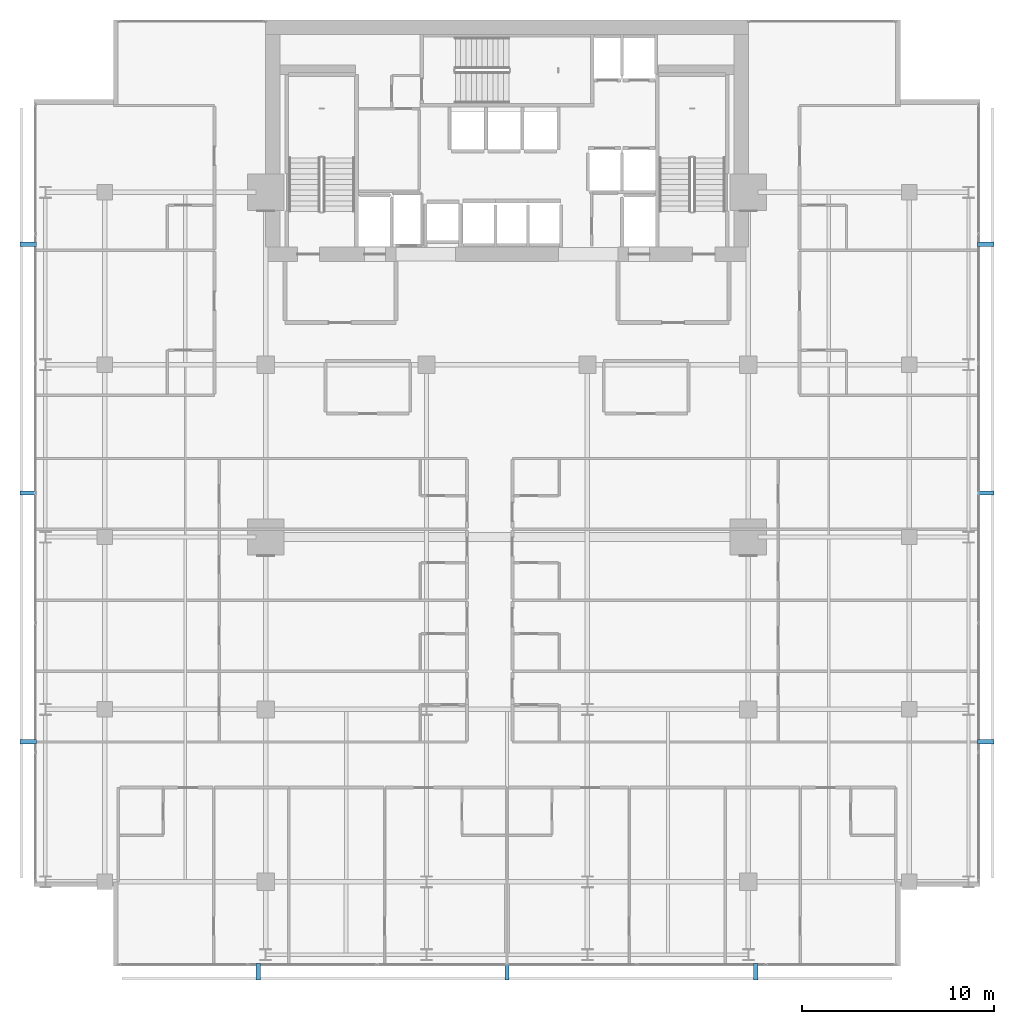
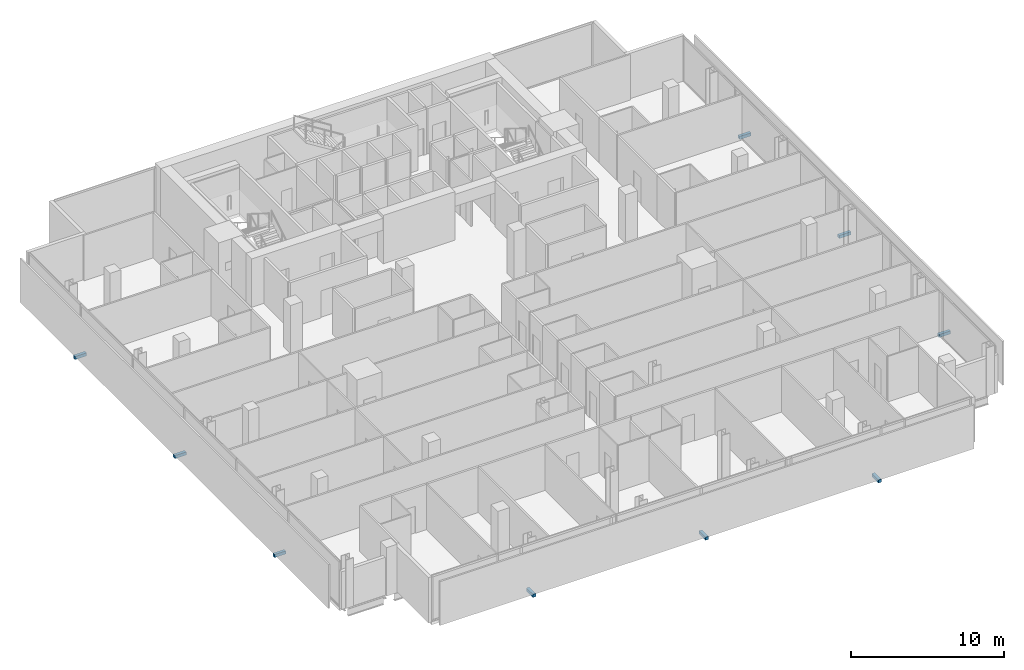
# One storey, part 32 of 34: 9 discrete accessories.
"""IFC4 building model written with IfcOpenShell, lengths in metres."""

from ifc_helpers import new_model, si_unit, direction, frame, origin, origin_2d, place, context, subcontext, project, spatial, rectangle, extrude, material, type_object, element, save


model = new_model("IFC4")

# Units and contexts
model_context = context("Model", 3, precision=1e-05, world=origin(), true_north=direction((0.0, 1.0)))
body_context = subcontext(model_context, "Body", "Model", "MODEL_VIEW")
ifc_project = project(units=[si_unit("LENGTHUNIT", "METRE"), si_unit("AREAUNIT", "SQUARE_METRE"), si_unit("VOLUMEUNIT", "CUBIC_METRE"), si_unit("PLANEANGLEUNIT", "RADIAN"), si_unit("MASSUNIT", "GRAM", prefix="KILO")], contexts=[model_context])

# Site, building, storey
site_placement = place(None, origin())
site = spatial("IfcSite", under=ifc_project, at=site_placement, CompositionType="ELEMENT")
building_placement = place(site_placement, origin())
building = spatial("IfcBuilding", under=site, at=building_placement, Name="Maruvema Waterfront Hotel and Observation Tower", CompositionType="ELEMENT")
storey_placement = place(building_placement, frame((0.0, 0.0, 189.0)))
storey = spatial("IfcBuildingStorey", under=building, at=storey_placement, Name="L46", CompositionType="ELEMENT", Elevation=189.0)

# Discrete accessories
ifc_material = material(Name="Duplex stainless steel Grade 2205", Category="steel")
discrete_accessory_type = type_object("IfcDiscreteAccessoryType", Name="Double-Skin Cavity Stainless Outrigger Bracket", PredefinedType="BRACKET", material=ifc_material)
for number, where, z_axis, x_axis, name in (
    (1, (24.80810546875, 4.300048828125, -0.14013671875), (0.0, 0.0, 1.0), (1.0, 0.0, 0.0), "L46 Outer Skin Support Bracket 1"),
    (2, (37.800048828125, 4.300048828125, -0.14013671875), (0.0, 0.0, 1.0), (1.0, 0.0, 0.0), "L46 Outer Skin Support Bracket 2"),
    (3, (50.7919921875, 4.300048828125, -0.14013671875), (0.0, 0.0, 1.0), (1.0, 0.0, 0.0), "L46 Outer Skin Support Bracket 3"),
    (4, (62.800048828125, 16.30810546875, -0.14013671875), (0.0, 0.0, 1.0), (0.0, 1.0, 0.0), "L46 Outer Skin Support Bracket 1"),
    (5, (62.800048828125, 29.300048828125, -0.14013671875), (0.0, 0.0, 1.0), (0.0, 1.0, 0.0), "L46 Outer Skin Support Bracket 2"),
    (6, (62.800048828125, 42.2919921875, -0.14013671875), (0.0, 0.0, 1.0), (0.0, 1.0, 0.0), "L46 Outer Skin Support Bracket 3"),
    (7, (12.800048828125, 42.2919921875, -0.14013671875), (0.0, 0.0, 1.0), (0.0, -1.0, 0.0), "L46 Outer Skin Support Bracket 1"),
    (8, (12.800048828125, 29.300048828125, -0.14013671875), (0.0, 0.0, 1.0), (0.0, -1.0, 0.0), "L46 Outer Skin Support Bracket 2"),
    (9, (12.800048828125, 16.30810546875, -0.14013671875), (0.0, 0.0, 1.0), (0.0, -1.0, 0.0), "L46 Outer Skin Support Bracket 3"),
):
    element("IfcDiscreteAccessory", number, at=place(storey_placement, frame(where, z_axis=z_axis, x_axis=x_axis)), inside=storey, type_object=discrete_accessory_type, Name=name, PredefinedType="BRACKET", context=body_context, shape_type="SweptSolid", body=[
        extrude(rectangle(XDim=0.219970703125, YDim=0.860107421875, at=origin_2d()), origin(), (0.0, 0.0, 1.0), 0.239990234375),
    ])

save(model, "model.ifc")
